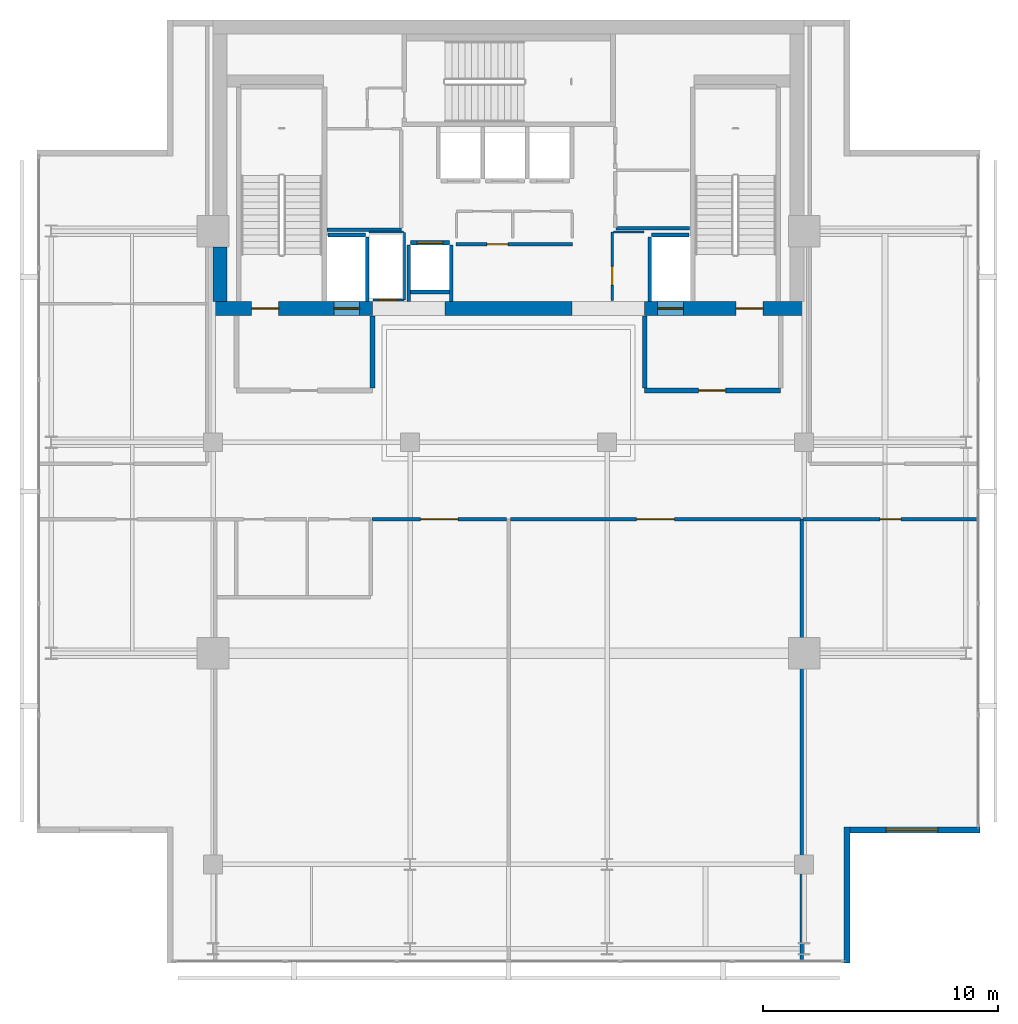
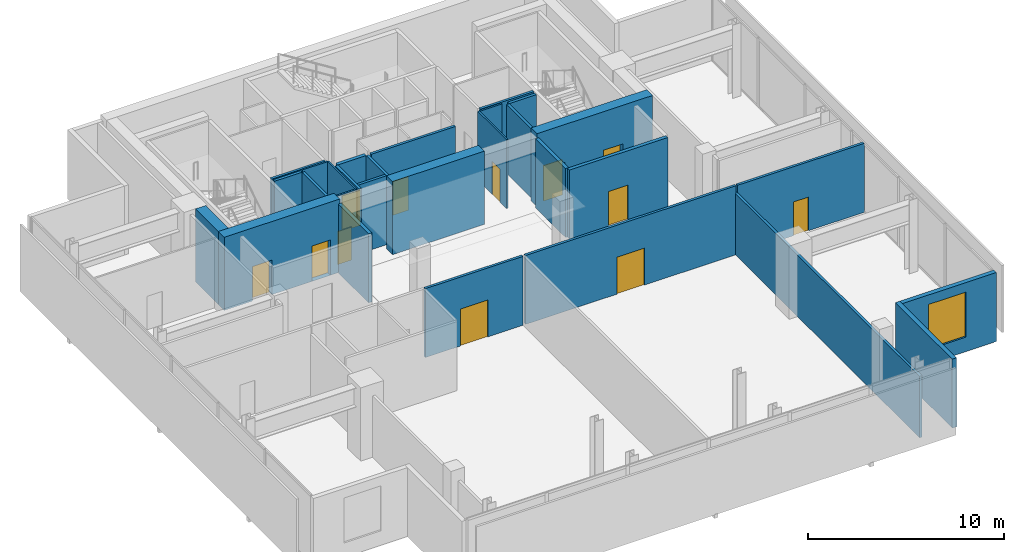
# One storey, part 17 of 23: 29 walls, 12 doors, 1 window, 13 openings.
"""IFC4 building model written with IfcOpenShell, lengths in metres."""

import ifcopenshell
import ifcopenshell.guid

model = None  # the IFC model being written
_history = None  # IfcOwnerHistory: only IFC2X3 demands one
_inside = {}  # id of a spatial element -> (the spatial element, [elements in it])
_under = {}  # id of a project, library or spatial element -> (it, [spatial elements below it])
_declared = {}  # id of a project -> (the project, [libraries it declares])
_typed = {}  # id of a type object -> (the type object, [elements of that type])
_made_of = {}  # id of a material, layer set ... -> (it, [elements and type objects made of it])


def new_model(schema):
    """Start an empty IFC model of exactly this schema.

    Asked for "IFC4X3", IfcOpenShell would pick the latest addendum, in which some entities
    have other attributes; the version numbers below select the first issue.
    IFC2X3 requires an IfcOwnerHistory on every rooted entity: one is made here for all.
    """
    global model, _history
    if schema == "IFC4X3":
        model = ifcopenshell.file(schema_version=(4, 3, 0, 0))
    else:
        model = ifcopenshell.file(schema=schema)
    _inside.clear()
    _under.clear()
    _declared.clear()
    _typed.clear()
    _made_of.clear()
    _history = None
    if model.schema == "IFC2X3":
        org = make("IfcOrganization", Name="unknown")
        user = make(
            "IfcPersonAndOrganization",
            ThePerson=make("IfcPerson", FamilyName="unknown"),
            TheOrganization=org,
        )
        app = make(
            "IfcApplication",
            ApplicationDeveloper=org,
            Version="unknown",
            ApplicationFullName="unknown",
            ApplicationIdentifier="unknown",
        )
        _history = make(
            "IfcOwnerHistory",
            OwningUser=user,
            OwningApplication=app,
            ChangeAction="ADDED",
            CreationDate=0,
        )
    return model


def make(cls, **values):
    """One entity of the class cls with the attributes given. An attribute that is None is left unset."""
    return model.create_entity(
        cls, **{name: value for name, value in values.items() if value is not None}
    )


def rooted(cls, **values):
    """An entity with a GlobalId (a new one), such as an element, a storey or a relation."""
    return make(cls, GlobalId=ifcopenshell.guid.new(), OwnerHistory=_history, **values)


def si_unit(unit_type, name, prefix=None):
    """IfcSIUnit, for example si_unit("LENGTHUNIT", "METRE", prefix="MILLI")."""
    return make("IfcSIUnit", UnitType=unit_type, Prefix=prefix, Name=name)


def assignment(units):
    """IfcUnitAssignment: the units of a project."""
    return None if units is None else make("IfcUnitAssignment", Units=units)


def point(xyz):
    """IfcCartesianPoint."""
    return None if xyz is None else make("IfcCartesianPoint", Coordinates=xyz)


def direction(xyz):
    """IfcDirection."""
    return None if xyz is None else make("IfcDirection", DirectionRatios=xyz)


def frame(location, z_axis=None, x_axis=None):
    """IfcAxis2Placement3D, a coordinate frame: its origin and axes. An axis left out is left unset."""
    return make(
        "IfcAxis2Placement3D",
        Location=point(location),
        Axis=direction(z_axis),
        RefDirection=direction(x_axis),
    )


def frame_2d(location, x_axis=None):
    """IfcAxis2Placement2D, a coordinate frame in the plane: its origin and x axis."""
    return make(
        "IfcAxis2Placement2D", Location=point(location), RefDirection=direction(x_axis)
    )


def origin():
    """The frame at (0, 0, 0) with its axes left unset."""
    return frame((0.0, 0.0, 0.0))


def place(relative_to, where):
    """IfcLocalPlacement: puts the frame where relative to a parent placement (None: the world)."""
    return make(
        "IfcLocalPlacement", PlacementRelTo=relative_to, RelativePlacement=where
    )


def context(
    kind, dimensions, precision=None, world=None, true_north=None, identifier=None
):
    """IfcGeometricRepresentationContext, for example the 3D "Model" context."""
    return make(
        "IfcGeometricRepresentationContext",
        ContextIdentifier=identifier,
        ContextType=kind,
        CoordinateSpaceDimension=dimensions,
        Precision=precision,
        WorldCoordinateSystem=world,
        TrueNorth=true_north,
    )


def subcontext(parent, identifier, kind, view, scale=None):
    """IfcGeometricRepresentationSubContext, for example "Body" below "Model"."""
    return make(
        "IfcGeometricRepresentationSubContext",
        ContextIdentifier=identifier,
        ContextType=kind,
        ParentContext=parent,
        TargetScale=scale,
        TargetView=view,
    )


def project(units=None, contexts=None):
    """IfcProject with its units and contexts."""
    return rooted(
        "IfcProject",
        Name="project",
        RepresentationContexts=contexts,
        UnitsInContext=assignment(units),
    )


def spatial(cls, under=None, at=None, **own):
    """A site, building, storey or space (cls), placed at a placement, below another one or the project."""
    s = rooted(cls, ObjectPlacement=at, **own)
    if under is not None:
        _under.setdefault(under.id(), (under, []))[1].append(s)
    return s


def profile(cls, at=None, kind="AREA", **sizes):
    """A parametric profile (cls). Its sizes go by their IFC names, for example OverallWidth=200.0."""
    return make(cls, ProfileType=kind, Position=at, **sizes)


def rectangle(**sizes):
    """IfcRectangleProfileDef."""
    return profile("IfcRectangleProfileDef", **sizes)


def extrude(swept, where, along, depth):
    """IfcExtrudedAreaSolid: the profile swept, set in the frame where, extruded along a direction by depth."""
    return make(
        "IfcExtrudedAreaSolid",
        SweptArea=swept,
        Position=where,
        ExtrudedDirection=direction(along),
        Depth=depth,
    )


def shape(context_of_items, identifier, shape_type, items):
    """IfcShapeRepresentation: the items that make up one representation, for example the "Body"."""
    return make(
        "IfcShapeRepresentation",
        ContextOfItems=context_of_items,
        RepresentationIdentifier=identifier,
        RepresentationType=shape_type,
        Items=items,
    )


def material(Name=None, Category=None):
    """IfcMaterial."""
    return make("IfcMaterial", Name=Name, Category=Category)


def layer(
    of_material, thickness, ventilated=None, Name=None, Category=None, Priority=None
):
    """IfcMaterialLayer: one layer of a wall or slab, of a material (None: an air gap)."""
    return make(
        "IfcMaterialLayer",
        Material=of_material,
        LayerThickness=thickness,
        IsVentilated=ventilated,
        Name=Name,
        Category=Category,
        Priority=Priority,
    )


def layer_set(layers, Name=None):
    """IfcMaterialLayerSet."""
    return make("IfcMaterialLayerSet", MaterialLayers=layers, LayerSetName=Name)


def made_of(thing, what):
    """Note that an element or type object is made of a material, layer set ...; save() writes the relation."""
    if what is not None:
        _made_of.setdefault(what.id(), (what, []))[1].append(thing)
    return thing


def type_object(cls, material=None, **own):
    """A type object (cls), such as IfcWallType, which elements share."""
    return made_of(rooted(cls, **own), material)


def element(
    cls,
    number,
    at=None,
    inside=None,
    cuts=None,
    type_object=None,
    material=None,
    context=None,
    identifier="Body",
    shape_type=None,
    held_by="IfcProductDefinitionShape",
    body=None,
    shapes=None,
    **own,
):
    """One element of the class cls, such as IfcWall. Its Tag is "e" and its number.

    at: its placement. inside: the storey or other place that contains it. cuts: it is an
    opening in that element (IfcRelVoidsElement). A single representation is given by context,
    identifier, shape_type and body (its items); several are given by shapes. held_by: the class
    of the entity that holds the representations. save() writes the other relations.
    """
    e = rooted(cls, Tag="e%d" % number, ObjectPlacement=at, **own)
    if body is not None:
        shapes = [shape(context, identifier, shape_type, body)]
    if shapes is not None:
        e.Representation = make(held_by, Representations=shapes)
    if inside is not None:
        _inside.setdefault(inside.id(), (inside, []))[1].append(e)
    if cuts is not None:
        rooted(
            "IfcRelVoidsElement", RelatingBuildingElement=cuts, RelatedOpeningElement=e
        )
    if type_object is not None:
        _typed.setdefault(type_object.id(), (type_object, []))[1].append(e)
    return made_of(e, material)


def fill(opening, filler):
    """IfcRelFillsElement: the door or window that sits in an opening."""
    return rooted(
        "IfcRelFillsElement",
        RelatingOpeningElement=opening,
        RelatedBuildingElement=filler,
    )


def aggregate(whole, parts):
    """IfcRelAggregates: a whole, such as a stair, and the parts it consists of."""
    return rooted("IfcRelAggregates", RelatingObject=whole, RelatedObjects=parts)


def save(model, path):
    """Write the relations noted so far, then the file.

    IfcRelAggregates (storeys below a building ...), IfcRelContainedInSpatialStructure (elements
    in a storey), IfcRelDefinesByType, IfcRelAssociatesMaterial and IfcRelDeclares: one each for
    every whole, place, type object, material and project.
    """
    for whole, parts in _under.values():
        aggregate(whole, parts)
    for where, things in _inside.values():
        rooted(
            "IfcRelContainedInSpatialStructure",
            RelatedElements=things,
            RelatingStructure=where,
        )
    for kind, things in _typed.values():
        rooted("IfcRelDefinesByType", RelatedObjects=things, RelatingType=kind)
    for what, things in _made_of.values():
        rooted("IfcRelAssociatesMaterial", RelatedObjects=things, RelatingMaterial=what)
    for by, libraries in _declared.values():
        rooted("IfcRelDeclares", RelatingContext=by, RelatedDefinitions=libraries)
    model.write(path)


model = new_model("IFC4")

# Units and contexts
model_context = context("Model", 3, precision=1e-05, world=origin(), true_north=direction((0.0, 1.0)))
body_context = subcontext(model_context, "Body", "Model", "MODEL_VIEW")
ifc_project = project(units=[si_unit("LENGTHUNIT", "METRE"), si_unit("AREAUNIT", "SQUARE_METRE"), si_unit("VOLUMEUNIT", "CUBIC_METRE"), si_unit("PLANEANGLEUNIT", "RADIAN"), si_unit("MASSUNIT", "GRAM", prefix="KILO")], contexts=[model_context])

# Site, building, storey
site_placement = place(None, origin())
site = spatial("IfcSite", under=ifc_project, at=site_placement, CompositionType="ELEMENT")
building_placement = place(site_placement, origin())
building = spatial("IfcBuilding", under=site, at=building_placement, Name="Maruvema Waterfront Hotel and Observation Tower", CompositionType="ELEMENT")
storey_placement = place(building_placement, frame((0.0, 0.0, 349.64990234375)))
storey = spatial("IfcBuildingStorey", under=building, at=storey_placement, Name="L86", CompositionType="ELEMENT", Elevation=349.64990234375)

# Wall, opening, door
ifc_material_1 = material(Name="Twin-stud acoustic gypsum drywall", Category="gypsum")
ifc_layer_1 = layer(ifc_material_1, 0.14990234375, Name="Acoustic Corridor and Suite Demising Wall 150 mm")
ifc_layer_set_1 = layer_set([ifc_layer_1], Name="Twin-stud acoustic gypsum drywall")
wall_type_1 = type_object("IfcWallType", Name="Acoustic Corridor and Suite Demising Wall 150 mm", PredefinedType="PARTITIONING", material=ifc_layer_set_1)
wall_1_placement = place(storey_placement, frame((35.56005859375, 44.43994140625, 0.0), z_axis=(0.0, 0.0, 1.0), x_axis=(1.0, 0.0, 0.0)))
wall_1 = element("IfcWall", 1, at=wall_1_placement, inside=storey, type_object=wall_type_1, Name="L86 Freed B3 Wall 017", PredefinedType="PARTITIONING", context=body_context, shape_type="SweptSolid", body=[
    extrude(rectangle(XDim=4.9599609375, YDim=0.14990234375, at=frame_2d((2.47998046875, 0.0))), origin(), (0.0, 0.0, 1.0), 4.2900390625),
])
opening_1_placement = place(wall_1_placement, frame((1.320068359375, 0.0, 0.0)))
opening_1 = element("IfcOpeningElement", 2, at=opening_1_placement, cuts=wall_1, Name="Opening DR-090", PredefinedType="OPENING", context=body_context, shape_type="SweptSolid", body=[
    extrude(rectangle(XDim=0.89990234375, YDim=2.10009765625, at=frame_2d((0.449951171875, 1.050048828125))), frame((0.0, 0.0849609375, 0.0), z_axis=(0.0, -1.0, 0.0), x_axis=(1.0, 0.0, 0.0)), (0.0, 0.0, 1.0), 0.169921875),
])
ifc_material_2 = material(Name="Solid-core lacquered timber leaf", Category="wood")
door_type_1 = type_object("IfcDoorType", Name="Accessible Toilet and Room Door 900x2100 mm", OperationType="NOTDEFINED", PredefinedType="DOOR", material=ifc_material_2)
door_1_placement = place(opening_1_placement, origin())
door_1 = element("IfcDoor", 3, at=door_1_placement, inside=storey, type_object=door_type_1, Name="L86 Freed B3 Door", OperationType="SINGLE_SWING_RIGHT", OverallHeight=2.10009765625, OverallWidth=0.89990234375, PredefinedType="DOOR", context=body_context, shape_type="SweptSolid", body=[
    extrude(rectangle(XDim=0.89990234375, YDim=2.10009765625, at=frame_2d((0.449951171875, 1.050048828125))), frame((0.0, 0.02490234375, 0.0), z_axis=(0.0, -1.0, 0.0), x_axis=(1.0, 0.0, 0.0)), (0.0, 0.0, 1.0), 0.050048828125),
])
fill(opening_1, door_1)

# Walls
wall_2_placement = place(storey_placement, frame((30.06005859375, 45.06005859375, 0.0), z_axis=(0.0, 0.0, 1.0), x_axis=(1.0, 0.0, 0.0)))
element("IfcWall", 4, at=wall_2_placement, inside=storey, type_object=wall_type_1, Name="L86 Freed B1 South Wall 018", PredefinedType="PARTITIONING", context=body_context, shape_type="SweptSolid", body=[
    extrude(rectangle(XDim=3.179931640625, YDim=0.14990234375, at=frame_2d((1.58984375, 0.0))), origin(), (0.0, 0.0, 1.0), 4.2900390625),
])
wall_3_placement = place(storey_placement, frame((42.3798828125, 45.1201171875, 0.0), z_axis=(0.0, 0.0, 1.0), x_axis=(1.0, 0.0, 0.0)))
element("IfcWall", 5, at=wall_3_placement, inside=storey, type_object=wall_type_1, Name="L86 Freed B2 South Wall 026", PredefinedType="PARTITIONING", context=body_context, shape_type="SweptSolid", body=[
    extrude(rectangle(XDim=3.14013671875, YDim=0.14990234375, at=frame_2d((1.570068359375, 0.0))), origin(), (0.0, 0.0, 1.0), 4.2900390625),
])
wall_4_placement = place(storey_placement, frame((50.300048828125, 13.8798828125, 0.0), z_axis=(0.0, 0.0, 1.0), x_axis=(0.0, 1.0, 0.0)))
element("IfcWall", 6, at=wall_4_placement, inside=storey, type_object=wall_type_1, Name="L86 L86 East Spine 035", PredefinedType="PARTITIONING", context=body_context, shape_type="SweptSolid", body=[
    extrude(rectangle(XDim=18.840087890625, YDim=0.14990234375, at=frame_2d((9.419921875, 0.0))), origin(), (0.0, 0.0, 1.0), 3.821044921875),
])

# Wall, opening, door
wall_5_placement = place(storey_placement, frame((31.97998046875, 32.719970703125, 0.0), z_axis=(0.0, 0.0, 1.0), x_axis=(1.0, 0.0, 0.0)))
wall_5 = element("IfcWall", 7, at=wall_5_placement, inside=storey, type_object=wall_type_1, Name="L86 L86 Sky Bar North 037", PredefinedType="PARTITIONING", context=body_context, shape_type="SweptSolid", body=[
    extrude(rectangle(XDim=5.739990234375, YDim=0.14990234375, at=frame_2d((2.8701171875, 0.0))), origin(), (0.0, 0.0, 1.0), 4.2900390625),
])
opening_2_placement = place(wall_5_placement, frame((2.070068359375, 0.0, 0.0)))
opening_2 = element("IfcOpeningElement", 8, at=opening_2_placement, cuts=wall_5, Name="Opening DR-160", PredefinedType="OPENING", context=body_context, shape_type="SweptSolid", body=[
    extrude(rectangle(XDim=1.60009765625, YDim=2.300048828125, at=frame_2d((0.800048828125, 1.14990234375))), frame((0.0, 0.0849609375, 0.0), z_axis=(0.0, -1.0, 0.0), x_axis=(1.0, 0.0, 0.0)), (0.0, 0.0, 1.0), 0.169921875),
])
ifc_material_3 = material(Name="Acoustic veneered hardwood double leaf", Category="wood")
door_type_2 = type_object("IfcDoorType", Name="Ballroom and Lounge Double Door 1600x2300 mm", OperationType="DOUBLE_DOOR_SINGLE_SWING", PredefinedType="DOOR", material=ifc_material_3)
door_2_placement = place(opening_2_placement, origin())
door_2 = element("IfcDoor", 9, at=door_2_placement, inside=storey, type_object=door_type_2, Name="L86 Sky Bar Door", OperationType="DOUBLE_DOOR_SINGLE_SWING", OverallHeight=2.300048828125, OverallWidth=1.60009765625, PredefinedType="DOOR", context=body_context, shape_type="SweptSolid", body=[
    extrude(rectangle(XDim=1.60009765625, YDim=2.300048828125, at=frame_2d((0.800048828125, 1.14990234375))), frame((0.0, 0.02490234375, 0.0), z_axis=(0.0, -1.0, 0.0), x_axis=(1.0, 0.0, 0.0)), (0.0, 0.0, 1.0), 0.050048828125),
])
fill(opening_2, door_2)

wall_6_placement = place(storey_placement, frame((37.8798828125, 32.719970703125, 0.0), z_axis=(0.0, 0.0, 1.0), x_axis=(1.0, 0.0, 0.0)))
wall_6 = element("IfcWall", 10, at=wall_6_placement, inside=storey, type_object=wall_type_1, Name="L86 L86 Jazz North 038", PredefinedType="PARTITIONING", context=body_context, shape_type="SweptSolid", body=[
    extrude(rectangle(XDim=12.3701171875, YDim=0.14990234375, at=frame_2d((6.18505859375, 0.0))), origin(), (0.0, 0.0, 1.0), 4.2900390625),
])
opening_3_placement = place(wall_6_placement, frame((5.385009765625, 0.0, 0.0)))
opening_3 = element("IfcOpeningElement", 11, at=opening_3_placement, cuts=wall_6, Name="Opening DR-160", PredefinedType="OPENING", context=body_context, shape_type="SweptSolid", body=[
    extrude(rectangle(XDim=1.60009765625, YDim=2.300048828125, at=frame_2d((0.800048828125, 1.14990234375))), frame((0.0, 0.0849609375, 0.0), z_axis=(0.0, -1.0, 0.0), x_axis=(1.0, 0.0, 0.0)), (0.0, 0.0, 1.0), 0.169921875),
])
door_3_placement = place(opening_3_placement, origin())
door_3 = element("IfcDoor", 12, at=door_3_placement, inside=storey, type_object=door_type_2, Name="L86 Jazz Lounge Door", OperationType="DOUBLE_DOOR_SINGLE_SWING", OverallHeight=2.300048828125, OverallWidth=1.60009765625, PredefinedType="DOOR", context=body_context, shape_type="SweptSolid", body=[
    extrude(rectangle(XDim=1.60009765625, YDim=2.300048828125, at=frame_2d((0.800048828125, 1.14990234375))), frame((0.0, 0.02490234375, 0.0), z_axis=(0.0, -1.0, 0.0), x_axis=(1.0, 0.0, 0.0)), (0.0, 0.0, 1.0), 0.050048828125),
])
fill(opening_3, door_3)

wall_7_placement = place(storey_placement, frame((50.35009765625, 32.719970703125, 0.0), z_axis=(0.0, 0.0, 1.0), x_axis=(1.0, 0.0, 0.0)))
wall_7 = element("IfcWall", 13, at=wall_7_placement, inside=storey, type_object=wall_type_1, Name="L86 L86 Mixology North 039", PredefinedType="PARTITIONING", context=body_context, shape_type="SweptSolid", body=[
    extrude(rectangle(XDim=7.469970703125, YDim=0.14990234375, at=frame_2d((3.73486328125, 0.0))), origin(), (0.0, 0.0, 1.0), 4.2900390625),
])
opening_4_placement = place(wall_7_placement, frame((3.284912109375, 0.0, 0.0)))
opening_4 = element("IfcOpeningElement", 14, at=opening_4_placement, cuts=wall_7, Name="Opening DR-090", PredefinedType="OPENING", context=body_context, shape_type="SweptSolid", body=[
    extrude(rectangle(XDim=0.89990234375, YDim=2.10009765625, at=frame_2d((0.449951171875, 1.050048828125))), frame((0.0, 0.0849609375, 0.0), z_axis=(0.0, -1.0, 0.0), x_axis=(1.0, 0.0, 0.0)), (0.0, 0.0, 1.0), 0.169921875),
])
door_4_placement = place(opening_4_placement, origin())
door_4 = element("IfcDoor", 15, at=door_4_placement, inside=storey, type_object=door_type_1, Name="L86 Mixology Kitchen Door", OperationType="SINGLE_SWING_RIGHT", OverallHeight=2.10009765625, OverallWidth=0.89990234375, PredefinedType="DOOR", context=body_context, shape_type="SweptSolid", body=[
    extrude(rectangle(XDim=0.89990234375, YDim=2.10009765625, at=frame_2d((0.449951171875, 1.050048828125))), frame((0.0, 0.02490234375, 0.0), z_axis=(0.0, -1.0, 0.0), x_axis=(1.0, 0.0, 0.0)), (0.0, 0.0, 1.0), 0.050048828125),
])
fill(opening_4, door_4)

ifc_material_4 = material(Name="Precast concrete C45/55", Category="concrete")
ifc_layer_2 = layer(ifc_material_4, 0.199951171875, Name="Core Shaft and Stairwell Enclosure Wall 200 mm")
ifc_layer_set_2 = layer_set([ifc_layer_2], Name="Precast concrete C45/55")
wall_type_2 = type_object("IfcWallType", Name="Core Shaft and Stairwell Enclosure Wall 200 mm", PredefinedType="SOLIDWALL", material=ifc_layer_set_2)
wall_8_placement = place(storey_placement, frame((33.610107421875, 44.5, 0.0), z_axis=(0.0, 0.0, 1.0), x_axis=(1.0, 0.0, 0.0)))
wall_8 = element("IfcWall", 16, at=wall_8_placement, inside=storey, type_object=wall_type_2, Name="L86 Lift LF-15 Hoistway Front Wall", PredefinedType="SOLIDWALL", context=body_context, shape_type="SweptSolid", body=[
    extrude(rectangle(XDim=1.679931640625, YDim=0.199951171875, at=frame_2d((0.83984375, 0.0))), origin(), (0.0, 0.0, 1.0), 4.2900390625),
])
opening_5_placement = place(wall_8_placement, frame((0.2900390625, 0.0, 0.0)))
opening_5 = element("IfcOpeningElement", 17, at=opening_5_placement, cuts=wall_8, Name="Opening LD-02", PredefinedType="OPENING", context=body_context, shape_type="SweptSolid", body=[
    extrude(rectangle(XDim=1.10009765625, YDim=2.199951171875, at=frame_2d((0.550048828125, 1.10009765625))), frame((0.0, 0.10986328125, 0.0), z_axis=(0.0, -1.0, 0.0), x_axis=(1.0, 0.0, 0.0)), (0.0, 0.0, 1.0), 0.219970703125),
])
ifc_material_5 = material(Name="Brushed stainless steel Grade 316", Category="steel")
door_type_3 = type_object("IfcDoorType", Name="Shuttle Lift Sliding Landing Door 1100x2200 mm", OperationType="SLIDING_TO_RIGHT", PredefinedType="DOOR", material=ifc_material_5)
door_5_placement = place(opening_5_placement, origin())
door_5 = element("IfcDoor", 18, at=door_5_placement, inside=storey, type_object=door_type_3, Name="L86 Lift LF-15 Sliding Landing Door", OperationType="SLIDING_TO_RIGHT", OverallHeight=2.199951171875, OverallWidth=1.10009765625, PredefinedType="DOOR", context=body_context, shape_type="SweptSolid", body=[
    extrude(rectangle(XDim=1.10009765625, YDim=2.199951171875, at=frame_2d((0.550048828125, 1.10009765625))), frame((0.0, 0.02490234375, 0.0), z_axis=(0.0, -1.0, 0.0), x_axis=(1.0, 0.0, 0.0)), (0.0, 0.0, 1.0), 0.050048828125),
])
fill(opening_5, door_5)

# Wall, openings, doors
ifc_material_6 = material(Name="Concrete C60/75", Category="concrete")
ifc_layer_3 = layer(ifc_material_6, 0.60009765625, Name="Core Shear Wall 600 mm")
ifc_layer_set_3 = layer_set([ifc_layer_3], Name="Concrete C60/75")
wall_type_3 = type_object("IfcWallType", Name="Core Shear Wall 600 mm", PredefinedType="SHEAR", material=ifc_layer_set_3)
wall_9_placement = place(storey_placement, frame((25.199951171875, 41.699951171875, 0.0), z_axis=(0.0, 0.0, 1.0), x_axis=(1.0, 0.0, 0.0)))
wall_9 = element("IfcWall", 19, at=wall_9_placement, inside=storey, type_object=wall_type_3, Name="L86 South-West Core Shear Wall", PredefinedType="SHEAR", context=body_context, shape_type="SweptSolid", body=[
    extrude(rectangle(XDim=6.800048828125, YDim=0.60009765625, at=frame_2d((3.39990234375, 0.0))), origin(), (0.0, 0.0, 1.0), 4.550048828125),
])
opening_6_placement = place(wall_9_placement, frame((1.64990234375, 0.0, 0.0)))
opening_6 = element("IfcOpeningElement", 20, at=opening_6_placement, cuts=wall_9, Name="Opening SD-01", PredefinedType="OPENING", context=body_context, shape_type="SweptSolid", body=[
    extrude(rectangle(XDim=1.14990234375, YDim=2.14990234375, at=frame_2d((0.574951171875, 1.074951171875))), frame((0.0, 0.31005859375, 0.0), z_axis=(0.0, -1.0, 0.0), x_axis=(1.0, 0.0, 0.0)), (0.0, 0.0, 1.0), 0.6201171875),
])
opening_7_placement = place(wall_9_placement, frame((5.14990234375, 0.0, 0.0)))
opening_7 = element("IfcOpeningElement", 21, at=opening_7_placement, cuts=wall_9, Name="Opening LD-03", PredefinedType="OPENING", context=body_context, shape_type="SweptSolid", body=[
    extrude(rectangle(XDim=1.10009765625, YDim=2.199951171875, at=frame_2d((0.550048828125, 1.10009765625))), frame((0.0, 0.31005859375, 0.0), z_axis=(0.0, -1.0, 0.0), x_axis=(1.0, 0.0, 0.0)), (0.0, 0.0, 1.0), 0.6201171875),
])
ifc_material_7 = material(Name="Fire-rated galvanised steel leaf", Category="steel")
door_type_4 = type_object("IfcDoorType", Name="Exit Stair Fire Door 1150x2150 mm", OperationType="NOTDEFINED", PredefinedType="DOOR", material=ifc_material_7)
door_6_placement = place(opening_6_placement, origin())
door_6 = element("IfcDoor", 22, at=door_6_placement, inside=storey, type_object=door_type_4, Name="L86 Exit Stair ST-01 Fire Door", OperationType="SINGLE_SWING_LEFT", OverallHeight=2.14990234375, OverallWidth=1.14990234375, PredefinedType="DOOR", context=body_context, shape_type="SweptSolid", body=[
    extrude(rectangle(XDim=1.14990234375, YDim=2.14990234375, at=frame_2d((0.574951171875, 1.074951171875))), frame((0.0, 0.02490234375, 0.0), z_axis=(0.0, -1.0, 0.0), x_axis=(1.0, 0.0, 0.0)), (0.0, 0.0, 1.0), 0.050048828125),
])
fill(opening_6, door_6)
ifc_material_8 = material(Name="Brushed stainless steel Grade 316", Category="steel")
door_type_5 = type_object("IfcDoorType", Name="Firefighting Lift Sliding Landing Door 1100x2200 mm", OperationType="SLIDING_TO_LEFT", PredefinedType="DOOR", material=ifc_material_8)
door_7_placement = place(opening_7_placement, frame((1.10009765625, 0.0, 0.0), z_axis=(0.0, 0.0, 1.0), x_axis=(-1.0, 0.0, 0.0)))
door_7 = element("IfcDoor", 23, at=door_7_placement, inside=storey, type_object=door_type_5, Name="L86 Firefighting Lift FL-01 Landing Door", OperationType="SLIDING_TO_LEFT", OverallHeight=2.199951171875, OverallWidth=1.10009765625, PredefinedType="DOOR", context=body_context, shape_type="SweptSolid", body=[
    extrude(rectangle(XDim=1.10009765625, YDim=2.199951171875, at=frame_2d((0.550048828125, 1.10009765625))), frame((0.0, 0.02490234375, 0.0), z_axis=(0.0, -1.0, 0.0), x_axis=(1.0, 0.0, 0.0)), (0.0, 0.0, 1.0), 0.050048828125),
])
fill(opening_7, door_7)

# Wall
wall_10_placement = place(storey_placement, frame((35.10009765625, 41.699951171875, 0.0), z_axis=(0.0, 0.0, 1.0), x_axis=(1.0, 0.0, 0.0)))
element("IfcWall", 24, at=wall_10_placement, inside=storey, type_object=wall_type_3, Name="L86 South-Central Core Shear Wall", PredefinedType="SHEAR", context=body_context, shape_type="SweptSolid", body=[
    extrude(rectangle(XDim=5.39990234375, YDim=0.60009765625, at=frame_2d((2.699951171875, 0.0))), origin(), (0.0, 0.0, 1.0), 4.550048828125),
])

# Wall, openings, doors
wall_11_placement = place(storey_placement, frame((43.60009765625, 41.699951171875, 0.0), z_axis=(0.0, 0.0, 1.0), x_axis=(1.0, 0.0, 0.0)))
wall_11 = element("IfcWall", 25, at=wall_11_placement, inside=storey, type_object=wall_type_3, Name="L86 South-East Core Shear Wall", PredefinedType="SHEAR", context=body_context, shape_type="SweptSolid", body=[
    extrude(rectangle(XDim=6.7998046875, YDim=0.60009765625, at=frame_2d((3.39990234375, 0.0))), origin(), (0.0, 0.0, 1.0), 4.550048828125),
])
opening_8_placement = place(wall_11_placement, frame((3.89990234375, 0.0, 0.0)))
opening_8 = element("IfcOpeningElement", 26, at=opening_8_placement, cuts=wall_11, Name="Opening SD-01", PredefinedType="OPENING", context=body_context, shape_type="SweptSolid", body=[
    extrude(rectangle(XDim=1.14990234375, YDim=2.14990234375, at=frame_2d((0.574951171875, 1.074951171875))), frame((0.0, 0.31005859375, 0.0), z_axis=(0.0, -1.0, 0.0), x_axis=(1.0, 0.0, 0.0)), (0.0, 0.0, 1.0), 0.6201171875),
])
opening_9_placement = place(wall_11_placement, frame((0.550048828125, 0.0, 0.0)))
opening_9 = element("IfcOpeningElement", 27, at=opening_9_placement, cuts=wall_11, Name="Opening LD-03", PredefinedType="OPENING", context=body_context, shape_type="SweptSolid", body=[
    extrude(rectangle(XDim=1.10009765625, YDim=2.199951171875, at=frame_2d((0.550048828125, 1.10009765625))), frame((0.0, 0.31005859375, 0.0), z_axis=(0.0, -1.0, 0.0), x_axis=(1.0, 0.0, 0.0)), (0.0, 0.0, 1.0), 0.6201171875),
])
door_8_placement = place(opening_8_placement, origin())
door_8 = element("IfcDoor", 28, at=door_8_placement, inside=storey, type_object=door_type_4, Name="L86 Exit Stair ST-03 Fire Door", OperationType="SINGLE_SWING_RIGHT", OverallHeight=2.14990234375, OverallWidth=1.14990234375, PredefinedType="DOOR", context=body_context, shape_type="SweptSolid", body=[
    extrude(rectangle(XDim=1.14990234375, YDim=2.14990234375, at=frame_2d((0.574951171875, 1.074951171875))), frame((0.0, 0.02490234375, 0.0), z_axis=(0.0, -1.0, 0.0), x_axis=(1.0, 0.0, 0.0)), (0.0, 0.0, 1.0), 0.050048828125),
])
fill(opening_8, door_8)
door_9_placement = place(opening_9_placement, frame((1.10009765625, 0.0, 0.0), z_axis=(0.0, 0.0, 1.0), x_axis=(-1.0, 0.0, 0.0)))
door_9 = element("IfcDoor", 29, at=door_9_placement, inside=storey, type_object=door_type_5, Name="L86 Firefighting Lift FL-02 Landing Door", OperationType="SLIDING_TO_LEFT", OverallHeight=2.199951171875, OverallWidth=1.10009765625, PredefinedType="DOOR", context=body_context, shape_type="SweptSolid", body=[
    extrude(rectangle(XDim=1.10009765625, YDim=2.199951171875, at=frame_2d((0.550048828125, 1.10009765625))), frame((0.0, 0.02490234375, 0.0), z_axis=(0.0, -1.0, 0.0), x_axis=(1.0, 0.0, 0.0)), (0.0, 0.0, 1.0), 0.050048828125),
])
fill(opening_9, door_9)

# Wall
wall_12_placement = place(storey_placement, frame((25.5, 42.0, 0.0), z_axis=(0.0, 0.0, 1.0), x_axis=(0.0, 1.0, 0.0)))
element("IfcWall", 30, at=wall_12_placement, inside=storey, type_object=wall_type_3, Name="L86 West-South Core Shear Wall", PredefinedType="SHEAR", context=body_context, shape_type="SweptSolid", body=[
    extrude(rectangle(XDim=2.324951171875, YDim=0.60009765625, at=frame_2d((1.16259765625, 0.0))), origin(), (0.0, 0.0, 1.0), 4.550048828125),
])

# Wall, opening, door
ifc_material_9 = material(Name="Moisture-resistant cement-board drywall", Category="gypsum")
ifc_layer_4 = layer(ifc_material_9, 0.10009765625, Name="En-Suite Moisture-Resistant Partition 100 mm")
ifc_layer_set_4 = layer_set([ifc_layer_4], Name="Moisture-resistant cement-board drywall")
wall_type_4 = type_object("IfcWallType", Name="En-Suite Moisture-Resistant Partition 100 mm", PredefinedType="PARTITIONING", material=ifc_layer_set_4)
wall_13_placement = place(storey_placement, frame((32.02001953125, 42.06005859375, 0.0), z_axis=(0.0, 0.0, 1.0), x_axis=(1.0, 0.0, 0.0)))
wall_13 = element("IfcWall", 31, at=wall_13_placement, inside=storey, type_object=wall_type_4, Name="L86 Telecom Riser South Wall 007", PredefinedType="PARTITIONING", context=body_context, shape_type="SweptSolid", body=[
    extrude(rectangle(XDim=1.320068359375, YDim=0.10009765625, at=frame_2d((0.66015625, 0.0))), origin(), (0.0, 0.0, 1.0), 4.2900390625),
])
opening_10_placement = place(wall_13_placement, frame((0.239990234375, 0.0, 0.0)))
opening_10 = element("IfcOpeningElement", 32, at=opening_10_placement, cuts=wall_13, Name="Opening DR-080", PredefinedType="OPENING", context=body_context, shape_type="SweptSolid", body=[
    extrude(rectangle(XDim=0.800048828125, YDim=2.050048828125, at=frame_2d((0.39990234375, 1.02490234375))), frame((0.0, 0.06005859375, 0.0), z_axis=(0.0, -1.0, 0.0), x_axis=(1.0, 0.0, 0.0)), (0.0, 0.0, 1.0), 0.1201171875),
])
ifc_material_10 = material(Name="Powder-coated steel access leaf", Category="steel")
door_type_6 = type_object("IfcDoorType", Name="Riser and Service Cupboard Door 800x2050 mm", OperationType="NOTDEFINED", PredefinedType="DOOR", material=ifc_material_10)
door_10_placement = place(opening_10_placement, frame((0.800048828125, 0.0, 0.0), z_axis=(0.0, 0.0, 1.0), x_axis=(-1.0, 0.0, 0.0)))
door_10 = element("IfcDoor", 33, at=door_10_placement, inside=storey, type_object=door_type_6, Name="L86 Telecom Riser Door", OperationType="SINGLE_SWING_RIGHT", OverallHeight=2.050048828125, OverallWidth=0.800048828125, PredefinedType="DOOR", context=body_context, shape_type="SweptSolid", body=[
    extrude(rectangle(XDim=0.800048828125, YDim=2.050048828125, at=frame_2d((0.39990234375, 1.02490234375))), frame((0.0, 0.02490234375, 0.0), z_axis=(0.0, -1.0, 0.0), x_axis=(1.0, 0.0, 0.0)), (0.0, 0.0, 1.0), 0.050048828125),
])
fill(opening_10, door_10)

# Walls
wall_14_placement = place(storey_placement, frame((31.840087890625, 44.9599609375, 0.0), z_axis=(0.0, 0.0, 1.0), x_axis=(1.0, 0.0, 0.0)))
element("IfcWall", 34, at=wall_14_placement, inside=storey, type_object=wall_type_4, Name="L86 Telecom Riser North Wall 008", PredefinedType="PARTITIONING", context=body_context, shape_type="SweptSolid", body=[
    extrude(rectangle(XDim=1.47998046875, YDim=0.10009765625, at=frame_2d((0.739990234375, 0.0))), origin(), (0.0, 0.0, 1.0), 4.2900390625),
])
wall_15_placement = place(storey_placement, frame((33.360107421875, 42.06005859375, 0.0), z_axis=(0.0, 0.0, 1.0), x_axis=(0.0, 1.0, 0.0)))
element("IfcWall", 35, at=wall_15_placement, inside=storey, type_object=wall_type_4, Name="L86 Telecom Riser East Wall 009", PredefinedType="PARTITIONING", context=body_context, shape_type="SweptSolid", body=[
    extrude(rectangle(XDim=2.8798828125, YDim=0.10009765625, at=frame_2d((1.43994140625, 0.0))), origin(), (0.0, 0.0, 1.0), 4.2900390625),
])

# Wall, opening, door
wall_16_placement = place(storey_placement, frame((42.219970703125, 42.050048828125, 0.0), z_axis=(0.0, 0.0, 1.0), x_axis=(0.0, 1.0, 0.0)))
wall_16 = element("IfcWall", 36, at=wall_16_placement, inside=storey, type_object=wall_type_4, Name="L86 Core Closet K2C West 015", PredefinedType="PARTITIONING", context=body_context, shape_type="SweptSolid", body=[
    extrude(rectangle(XDim=2.909912109375, YDim=0.10009765625, at=frame_2d((1.455078125, 0.0))), origin(), (0.0, 0.0, 1.0), 4.2900390625),
])
opening_11_placement = place(wall_16_placement, frame((0.64990234375, 0.0, 0.0)))
opening_11 = element("IfcOpeningElement", 37, at=opening_11_placement, cuts=wall_16, Name="Opening DR-080", PredefinedType="OPENING", context=body_context, shape_type="SweptSolid", body=[
    extrude(rectangle(XDim=0.800048828125, YDim=2.050048828125, at=frame_2d((0.39990234375, 1.02490234375))), frame((0.0, 0.06005859375, 0.0), z_axis=(0.0, -1.0, 0.0), x_axis=(1.0, 0.0, 0.0)), (0.0, 0.0, 1.0), 0.1201171875),
])
door_11_placement = place(opening_11_placement, frame((0.800048828125, 0.0, 0.0), z_axis=(0.0, 0.0, 1.0), x_axis=(-1.0, 0.0, 0.0)))
door_11 = element("IfcDoor", 38, at=door_11_placement, inside=storey, type_object=door_type_6, Name="L86 Core Housekeeping Closet Door", OperationType="SINGLE_SWING_LEFT", OverallHeight=2.050048828125, OverallWidth=0.800048828125, PredefinedType="DOOR", context=body_context, shape_type="SweptSolid", body=[
    extrude(rectangle(XDim=0.800048828125, YDim=2.050048828125, at=frame_2d((0.39990234375, 1.02490234375))), frame((0.0, 0.02490234375, 0.0), z_axis=(0.0, -1.0, 0.0), x_axis=(1.0, 0.0, 0.0)), (0.0, 0.0, 1.0), 0.050048828125),
])
fill(opening_11, door_11)

# Walls
wall_17_placement = place(storey_placement, frame((42.280029296875, 44.9599609375, 0.0), z_axis=(0.0, 0.0, 1.0), x_axis=(1.0, 0.0, 0.0)))
element("IfcWall", 39, at=wall_17_placement, inside=storey, type_object=wall_type_4, Name="L86 Core Closet K2C North 016", PredefinedType="PARTITIONING", context=body_context, shape_type="SweptSolid", body=[
    extrude(rectangle(XDim=1.300048828125, YDim=0.10009765625, at=frame_2d((0.64990234375, 0.0))), origin(), (0.0, 0.0, 1.0), 4.2900390625),
])
ifc_material_11 = material(Name="Precast concrete C45/55 with honed Pernambuco granite facing", Category="masonry")
ifc_layer_5 = layer(ifc_material_11, 0.260009765625, Name="Exterior Granite Clad Spandrel and Pier Wall 260 mm")
ifc_layer_set_5 = layer_set([ifc_layer_5], Name="Precast concrete C45/55 with honed Pernambuco granite facing")
wall_type_5 = type_object("IfcWallType", Name="Exterior Granite Clad Spandrel and Pier Wall 260 mm", PredefinedType="SOLIDWALL", material=ifc_layer_set_5)
wall_18_placement = place(storey_placement, frame((52.22998046875, 19.60009765625, 0.0), z_axis=(0.0, 0.0, 1.0), x_axis=(0.0, -1.0, 0.0)))
element("IfcWall", 40, at=wall_18_placement, inside=storey, type_object=wall_type_5, Name="L86 Corner Notch Granite Pier Wall SE1", PredefinedType="SOLIDWALL", context=body_context, shape_type="SweptSolid", body=[
    extrude(rectangle(XDim=5.800048828125, YDim=0.260009765625, at=frame_2d((2.89990234375, 0.0))), origin(), (0.0, 0.0, 1.0), 4.2900390625),
])

# Wall, opening, window
wall_19_placement = place(storey_placement, frame((57.89990234375, 19.469970703125, 0.0), z_axis=(0.0, 0.0, 1.0), x_axis=(-1.0, 0.0, 0.0)))
wall_19 = element("IfcWall", 41, at=wall_19_placement, inside=storey, type_object=wall_type_5, Name="L86 Corner Notch Granite Pier Wall SE2", PredefinedType="SOLIDWALL", context=body_context, shape_type="SweptSolid", body=[
    extrude(rectangle(XDim=5.7998046875, YDim=0.260009765625, at=frame_2d((2.89990234375, 0.0))), origin(), (0.0, 0.0, 1.0), 4.2900390625),
])
opening_12_placement = place(wall_19_placement, frame((1.800048828125, 0.0, 0.89990234375)))
opening_12 = element("IfcOpeningElement", 42, at=opening_12_placement, cuts=wall_19, Name="Opening WN-05", PredefinedType="OPENING", context=body_context, shape_type="SweptSolid", body=[
    extrude(rectangle(XDim=2.199951171875, YDim=2.800048828125, at=frame_2d((1.10009765625, 1.39990234375))), frame((0.0, 0.14013671875, 0.0), z_axis=(0.0, -1.0, 0.0), x_axis=(1.0, 0.0, 0.0)), (0.0, 0.0, 1.0), 0.280029296875),
])
ifc_material_12 = material(Name="Anodised bronze aluminium frame with laminated low-E glass", Category="aluminium")
window_type = type_object("IfcWindowType", Name="Crown Gallery Observation Window 2200x2800 mm", PartitioningType="SINGLE_PANEL", PredefinedType="WINDOW", material=ifc_material_12)
window_placement = place(opening_12_placement, origin())
window = element("IfcWindow", 43, at=window_placement, inside=storey, type_object=window_type, Name="L86 Corner Notch Punched Window SE2", OverallHeight=2.800048828125, OverallWidth=2.199951171875, PartitioningType="SINGLE_PANEL", PredefinedType="WINDOW", context=body_context, shape_type="SweptSolid", body=[
    extrude(rectangle(XDim=2.199951171875, YDim=2.800048828125, at=frame_2d((1.10009765625, 1.39990234375))), frame((0.0, 0.030029296875, 0.0), z_axis=(0.0, -1.0, 0.0), x_axis=(1.0, 0.0, 0.0)), (0.0, 0.0, 1.0), 0.06005859375),
])
fill(opening_12, window)

# Wall
ifc_material_13 = material(Name="Autoclaved cellular concrete blockwork", Category="masonry")
ifc_layer_6 = layer(ifc_material_13, 0.199951171875, Name="Fire Compartment Masonry Wall 200 mm")
ifc_layer_set_6 = layer_set([ifc_layer_6], Name="Autoclaved cellular concrete blockwork")
wall_type_6 = type_object("IfcWallType", Name="Fire Compartment Masonry Wall 200 mm", PredefinedType="PARTITIONING", material=ifc_layer_set_6)
wall_20_placement = place(storey_placement, frame((32.0, 38.31005859375, 0.0), z_axis=(0.0, 0.0, 1.0), x_axis=(0.0, 1.0, 0.0)))
element("IfcWall", 44, at=wall_20_placement, inside=storey, type_object=wall_type_6, Name="L86 FFL West East Wall 003", PredefinedType="PARTITIONING", context=body_context, shape_type="SweptSolid", body=[
    extrude(rectangle(XDim=3.06982421875, YDim=0.199951171875, at=frame_2d((1.534912109375, 0.0))), origin(), (0.0, 0.0, 1.0), 4.2900390625),
])

# Wall, opening, door
wall_21_placement = place(storey_placement, frame((43.60009765625, 38.199951171875, 0.0), z_axis=(0.0, 0.0, 1.0), x_axis=(1.0, 0.0, 0.0)))
wall_21 = element("IfcWall", 45, at=wall_21_placement, inside=storey, type_object=wall_type_6, Name="L86 FFL East South Wall 004", PredefinedType="PARTITIONING", context=body_context, shape_type="SweptSolid", body=[
    extrude(rectangle(XDim=5.7998046875, YDim=0.199951171875, at=frame_2d((2.89990234375, 0.0))), origin(), (0.0, 0.0, 1.0), 4.2900390625),
])
opening_13_placement = place(wall_21_placement, frame((2.300048828125, 0.0, 0.0)))
opening_13 = element("IfcOpeningElement", 46, at=opening_13_placement, cuts=wall_21, Name="Opening FD-115", PredefinedType="OPENING", context=body_context, shape_type="SweptSolid", body=[
    extrude(rectangle(XDim=1.14990234375, YDim=2.14990234375, at=frame_2d((0.574951171875, 1.074951171875))), frame((0.0, 0.10986328125, 0.0), z_axis=(0.0, -1.0, 0.0), x_axis=(1.0, 0.0, 0.0)), (0.0, 0.0, 1.0), 0.219970703125),
])
ifc_material_14 = material(Name="Fire-rated galvanised steel and vision glass", Category="steel")
door_type_7 = type_object("IfcDoorType", Name="Firefighting Lobby Fire Door 1150x2150 mm", OperationType="NOTDEFINED", PredefinedType="DOOR", material=ifc_material_14)
door_12_placement = place(opening_13_placement, frame((1.14990234375, 0.0, 0.0), z_axis=(0.0, 0.0, 1.0), x_axis=(-1.0, 0.0, 0.0)))
door_12 = element("IfcDoor", 47, at=door_12_placement, inside=storey, type_object=door_type_7, Name="L86 Firefighting Lobby East Door", OperationType="SINGLE_SWING_LEFT", OverallHeight=2.14990234375, OverallWidth=1.14990234375, PredefinedType="DOOR", context=body_context, shape_type="SweptSolid", body=[
    extrude(rectangle(XDim=1.14990234375, YDim=2.14990234375, at=frame_2d((0.574951171875, 1.074951171875))), frame((0.0, 0.02490234375, 0.0), z_axis=(0.0, -1.0, 0.0), x_axis=(1.0, 0.0, 0.0)), (0.0, 0.0, 1.0), 0.050048828125),
])
fill(opening_13, door_12)

# Walls
wall_22_placement = place(storey_placement, frame((43.60009765625, 38.31005859375, 0.0), z_axis=(0.0, 0.0, 1.0), x_axis=(0.0, 1.0, 0.0)))
element("IfcWall", 48, at=wall_22_placement, inside=storey, type_object=wall_type_6, Name="L86 FFL East West Wall 005", PredefinedType="PARTITIONING", context=body_context, shape_type="SweptSolid", body=[
    extrude(rectangle(XDim=3.06982421875, YDim=0.199951171875, at=frame_2d((1.534912109375, 0.0))), origin(), (0.0, 0.0, 1.0), 4.2900390625),
])
ifc_material_15 = material(Name="Precast concrete C45/55", Category="concrete")
ifc_layer_7 = layer(ifc_material_15, 0.159912109375, Name="Lift Hoistway Divider Wall 160 mm")
ifc_layer_set_7 = layer_set([ifc_layer_7], Name="Precast concrete C45/55")
wall_type_7 = type_object("IfcWallType", Name="Lift Hoistway Divider Wall 160 mm", PredefinedType="SOLIDWALL", material=ifc_layer_set_7)
wall_23_placement = place(storey_placement, frame((30.10009765625, 44.830078125, 0.0), z_axis=(0.0, 0.0, 1.0), x_axis=(1.0, 0.0, 0.0)))
element("IfcWall", 49, at=wall_23_placement, inside=storey, type_object=wall_type_7, Name="L86 Lift FL-01 Rear Hoistway Wall", PredefinedType="SOLIDWALL", context=body_context, shape_type="SweptSolid", body=[
    extrude(rectangle(XDim=1.599853515625, YDim=0.159912109375, at=frame_2d((0.7998046875, 0.0))), origin(), (0.0, 0.0, 1.0), 4.2900390625),
])
wall_24_placement = place(storey_placement, frame((31.780029296875, 42.0, 0.0), z_axis=(0.0, 0.0, 1.0), x_axis=(0.0, 1.0, 0.0)))
element("IfcWall", 50, at=wall_24_placement, inside=storey, type_object=wall_type_7, Name="L86 Lift FL-01 Inner Hoistway Wall", PredefinedType="SOLIDWALL", context=body_context, shape_type="SweptSolid", body=[
    extrude(rectangle(XDim=2.739990234375, YDim=0.159912109375, at=frame_2d((1.3701171875, 0.0))), origin(), (0.0, 0.0, 1.0), 4.2900390625),
])
wall_25_placement = place(storey_placement, frame((43.89990234375, 44.830078125, 0.0), z_axis=(0.0, 0.0, 1.0), x_axis=(1.0, 0.0, 0.0)))
element("IfcWall", 51, at=wall_25_placement, inside=storey, type_object=wall_type_7, Name="L86 Lift FL-02 Rear Hoistway Wall", PredefinedType="SOLIDWALL", context=body_context, shape_type="SweptSolid", body=[
    extrude(rectangle(XDim=1.60009765625, YDim=0.159912109375, at=frame_2d((0.800048828125, 0.0))), origin(), (0.0, 0.0, 1.0), 4.2900390625),
])
wall_26_placement = place(storey_placement, frame((43.820068359375, 42.0, 0.0), z_axis=(0.0, 0.0, 1.0), x_axis=(0.0, 1.0, 0.0)))
element("IfcWall", 52, at=wall_26_placement, inside=storey, type_object=wall_type_7, Name="L86 Lift FL-02 Inner Hoistway Wall", PredefinedType="SOLIDWALL", context=body_context, shape_type="SweptSolid", body=[
    extrude(rectangle(XDim=2.739990234375, YDim=0.159912109375, at=frame_2d((1.3701171875, 0.0))), origin(), (0.0, 0.0, 1.0), 4.2900390625),
])
for number, where, z_axis, x_axis, name in (
    (53, (33.5400390625, 42.0, 0.0), (0.0, 0.0, 1.0), (0.0, 1.0, 0.0), "L86 Hoistway Divider Wall"),
    (54, (35.360107421875, 42.0, 0.0), (0.0, 0.0, 1.0), (0.0, 1.0, 0.0), "L86 Hoistway Divider Wall"),
):
    element("IfcWall", number, at=place(storey_placement, frame(where, z_axis=z_axis, x_axis=x_axis)), inside=storey, type_object=wall_type_7, Name=name, PredefinedType="SOLIDWALL", context=body_context, shape_type="SweptSolid", body=[
        extrude(rectangle(XDim=2.39990234375, YDim=0.159912109375, at=frame_2d((1.199951171875, 0.0))), origin(), (0.0, 0.0, 1.0), 4.2900390625),
    ])
wall_27_placement = place(storey_placement, frame((33.6201171875, 42.39990234375, 0.0), z_axis=(0.0, 0.0, 1.0), x_axis=(1.0, 0.0, 0.0)))
element("IfcWall", 55, at=wall_27_placement, inside=storey, type_object=wall_type_7, Name="L86 Hoistway Divider Wall", PredefinedType="SOLIDWALL", context=body_context, shape_type="SweptSolid", body=[
    extrude(rectangle(XDim=1.659912109375, YDim=0.159912109375, at=frame_2d((0.830078125, 0.0))), origin(), (0.0, 0.0, 1.0), 4.2900390625),
])

save(model, "model.ifc")
